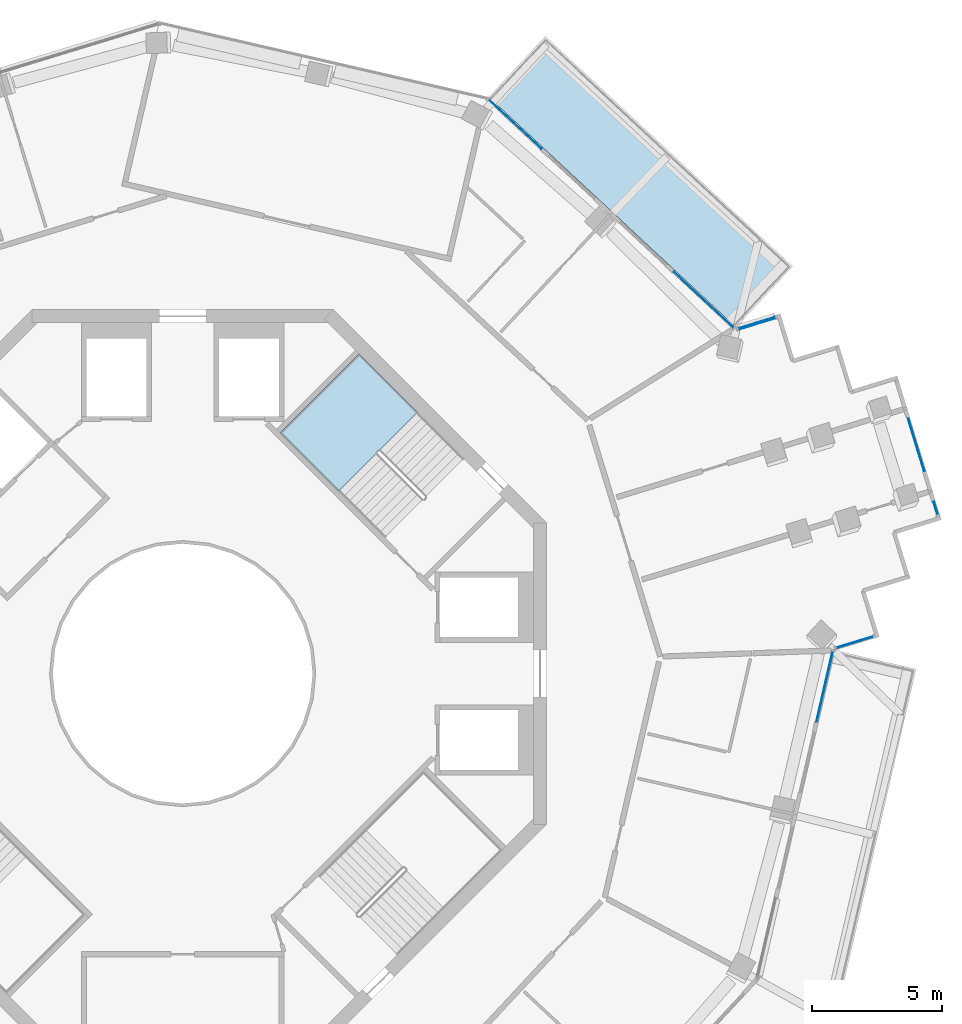
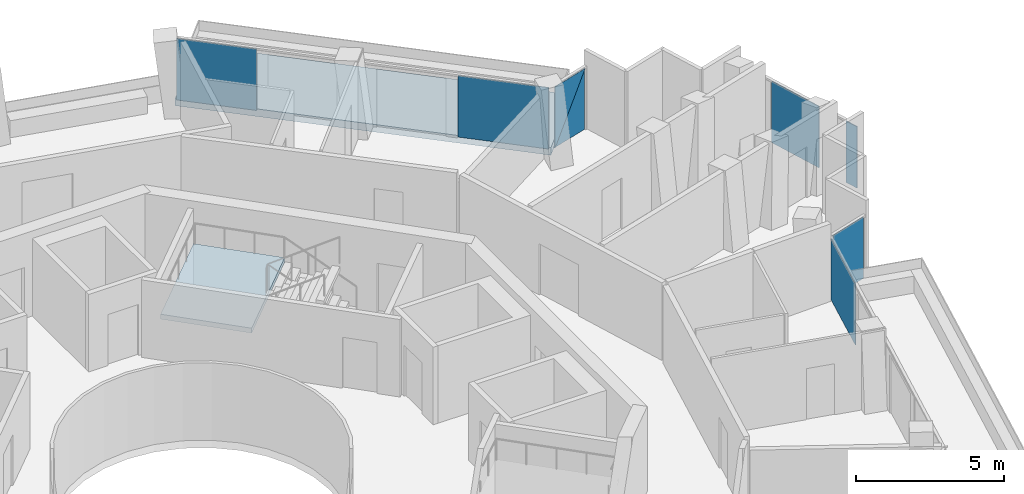
# One storey, part 13 of 21: 8 plates, 2 slabs, 6 elements without a shape of their own.
"""IFC4 building model written with IfcOpenShell, lengths in metres."""

from ifc_helpers import new_model, si_unit, direction, frame, origin, origin_2d, place, context, subcontext, project, spatial, polyline, rectangle, outline, extrude, material, layer, layer_set, type_object, element, aggregate, save


model = new_model("IFC4")

# Units and contexts
model_context = context("Model", 3, precision=1e-05, world=origin(), true_north=direction((0.0, 1.0)))
body_context = subcontext(model_context, "Body", "Model", "MODEL_VIEW")
ifc_project = project(units=[si_unit("LENGTHUNIT", "METRE"), si_unit("AREAUNIT", "SQUARE_METRE"), si_unit("VOLUMEUNIT", "CUBIC_METRE"), si_unit("PLANEANGLEUNIT", "RADIAN"), si_unit("MASSUNIT", "GRAM", prefix="KILO")], contexts=[model_context])

# Site, building, storey
site_placement = place(None, origin())
site = spatial("IfcSite", under=ifc_project, at=site_placement, CompositionType="ELEMENT")
building_placement = place(site_placement, origin())
building = spatial("IfcBuilding", under=site, at=building_placement, Name="Verdalira Terraces Hotel", CompositionType="ELEMENT")
storey_placement = place(building_placement, frame((0.0, 0.0, 227.0)))
storey = spatial("IfcBuildingStorey", under=building, at=storey_placement, Name="L55", CompositionType="ELEMENT", Elevation=227.0)

# Slab
ifc_material_1 = material(Name="Precast concrete C40/50", Category="concrete")
ifc_layer_1 = layer(ifc_material_1, 0.31005859375)
ifc_layer_set_1 = layer_set([ifc_layer_1], Name="Balcony deck 310")
slab_type_1 = type_object("IfcSlabType", Name="Balcony deck 310", PredefinedType="FLOOR", material=ifc_layer_set_1)
slab_1_placement = place(storey_placement, frame((0.0, 0.0, -0.310059)))
element("IfcSlab", 1, at=slab_1_placement, inside=storey, type_object=slab_type_1, Name="Balcony deck", PredefinedType="FLOOR", context=body_context, shape_type="SweptSolid", body=[
    extrude(outline(polyline([(13.955566, 24.524414), (11.774902, 22.182617), (21.288574, 13.323242), (23.469482, 15.665039), (13.955566, 24.524414)])), origin(), (0.0, 0.0, 1.0), 0.310059),
])

# Curtain wall, plate
ifc_material_2 = material(Name="Clear glass", Category="glass")
ifc_layer_2 = layer(ifc_material_2, 0.14990234375)
ifc_layer_set_2 = layer_set([ifc_layer_2], Name="CW1 curtain wall")
curtain_wall_type_1 = type_object("IfcCurtainWallType", Name="CW1 curtain wall", PredefinedType="NOTDEFINED", material=ifc_layer_set_2)
curtain_wall_1_placement = place(storey_placement, origin())
curtain_wall_1 = element("IfcCurtainWall", 2, at=curtain_wall_1_placement, inside=storey, type_object=curtain_wall_type_1, Name="CW1 curtain wall L55 edge 27", PredefinedType="NOTDEFINED")
ifc_material_3 = material(Name="Clear glass", Category="glass")
ifc_layer_3 = layer(ifc_material_3, 0.028076171875)
ifc_layer_set_3 = layer_set([ifc_layer_3], Name="CW1 glass unit 28")
plate_type_1 = type_object("IfcPlateType", Name="CW1 glass unit 28", PredefinedType="CURTAIN_PANEL", material=ifc_layer_set_3)
plate_1_placement = place(storey_placement, frame((24.699951, -0.501709, 0.0), z_axis=(0.0, 0.0, 1.0), x_axis=(0.224270761, 0.974526873, 0.0)))
plate_1 = element("IfcPlate", 3, at=plate_1_placement, type_object=plate_type_1, Name="CW1 glass unit", PredefinedType="CURTAIN_PANEL", context=body_context, shape_type="SweptSolid", body=[
    extrude(rectangle(XDim=2.778809, YDim=0.028076, at=origin_2d()), origin(), (0.0, 0.0, 1.0), 2.524902),
])
aggregate(curtain_wall_1, [plate_1])

# Curtain wall, plates
curtain_wall_2_placement = place(storey_placement, origin())
curtain_wall_2 = element("IfcCurtainWall", 4, at=curtain_wall_2_placement, inside=storey, type_object=curtain_wall_type_1, Name="CW1 curtain wall L55 edge 39", PredefinedType="NOTDEFINED")
plate_2_placement = place(storey_placement, frame((20.044678, 14.37915, 0.0), z_axis=(0.0, 0.0, 1.0), x_axis=(-0.731829648, 0.681487613, 0.0)))
plate_2 = element("IfcPlate", 5, at=plate_2_placement, type_object=plate_type_1, Name="CW1 glass unit", PredefinedType="CURTAIN_PANEL", context=body_context, shape_type="SweptSolid", body=[
    extrude(rectangle(XDim=3.139893, YDim=0.028076, at=origin_2d()), origin(), (0.0, 0.0, 1.0), 2.524902),
])
plate_3_placement = place(storey_placement, frame((12.784424, 21.140137, 0.0), z_axis=(0.0, 0.0, 1.0), x_axis=(-0.731829648, 0.681487613, 0.0)))
plate_3 = element("IfcPlate", 6, at=plate_3_placement, type_object=plate_type_1, Name="CW1 glass unit", PredefinedType="CURTAIN_PANEL", context=body_context, shape_type="SweptSolid", body=[
    extrude(rectangle(XDim=2.778809, YDim=0.028076, at=origin_2d()), origin(), (0.0, 0.0, 1.0), 2.524902),
])
aggregate(curtain_wall_2, [plate_2, plate_3])

# Curtain wall, plate
ifc_material_4 = material(Name="Clear glass", Category="glass")
ifc_layer_4 = layer(ifc_material_4, 0.14990234375)
ifc_layer_set_4 = layer_set([ifc_layer_4], Name="CW2 curtain wall")
curtain_wall_type_2 = type_object("IfcCurtainWallType", Name="CW2 curtain wall", PredefinedType="NOTDEFINED", material=ifc_layer_set_4)
curtain_wall_3_placement = place(storey_placement, origin())
curtain_wall_3 = element("IfcCurtainWall", 7, at=curtain_wall_3_placement, inside=storey, type_object=curtain_wall_type_2, Name="CW2 curtain wall L55 edge 28", PredefinedType="NOTDEFINED")
ifc_material_5 = material(Name="Clear glass", Category="glass")
ifc_layer_5 = layer(ifc_material_5, 0.031982421875)
ifc_layer_set_5 = layer_set([ifc_layer_5], Name="CW2 glass unit 32")
plate_type_2 = type_object("IfcPlateType", Name="CW2 glass unit 32", PredefinedType="CURTAIN_PANEL", material=ifc_layer_set_5)
plate_4_placement = place(storey_placement, frame((25.857178, 1.205078, 0.0), z_axis=(0.0, 0.0, 1.0), x_axis=(0.956100409, 0.29303926, 0.0)))
plate_4 = element("IfcPlate", 8, at=plate_4_placement, type_object=plate_type_2, Name="CW2 glass unit", PredefinedType="CURTAIN_PANEL", context=body_context, shape_type="SweptSolid", body=[
    extrude(rectangle(XDim=1.493408, YDim=0.031982, at=origin_2d()), origin(), (0.0, 0.0, 1.0), 2.524902),
])
aggregate(curtain_wall_3, [plate_4])

# Curtain wall, plates
curtain_wall_4_placement = place(storey_placement, origin())
curtain_wall_4 = element("IfcCurtainWall", 9, at=curtain_wall_4_placement, inside=storey, type_object=curtain_wall_type_2, Name="CW2 curtain wall L55 edge 38", PredefinedType="NOTDEFINED")
plate_5_placement = place(storey_placement, frame((22.096191, 13.475586, 1.262451), z_axis=(-0.29303926, 0.956100409, 0.0), x_axis=(-0.956100409, -0.29303926, 0.0)))
plate_5 = element("IfcPlate", 10, at=plate_5_placement, type_object=plate_type_2, Name="CW2 glass unit", PredefinedType="CURTAIN_PANEL", context=body_context, shape_type="SweptSolid", body=[
    extrude(outline(polyline([(-0.746582, -1.262451), (0.746582, -1.262451), (-0.746582, 1.262451), (-0.746582, -1.262451)])), origin(), (0.0, 0.0, 1.0), 0.031982),
])
plate_6_placement = place(storey_placement, frame((22.105957, 13.444092, 1.262451), z_axis=(-0.29303926, 0.956100409, 0.0), x_axis=(-0.956100409, -0.29303926, 0.0)))
plate_6 = element("IfcPlate", 11, at=plate_6_placement, type_object=plate_type_2, Name="CW2 glass unit", PredefinedType="CURTAIN_PANEL", context=body_context, shape_type="SweptSolid", body=[
    extrude(outline(polyline([(0.746582, -1.262451), (0.746582, 1.262451), (-0.746582, 1.262451), (0.746582, -1.262451)])), origin(), (0.0, 0.0, 1.0), 0.031982),
])
aggregate(curtain_wall_4, [plate_5, plate_6])

ifc_material_6 = material(Name="Clear glass", Category="glass")
ifc_layer_6 = layer(ifc_material_6, 0.14990234375)
ifc_layer_set_6 = layer_set([ifc_layer_6], Name="CW3 curtain wall")
curtain_wall_type_3 = type_object("IfcCurtainWallType", Name="CW3 curtain wall", PredefinedType="NOTDEFINED", material=ifc_layer_set_6)
curtain_wall_5_placement = place(storey_placement, origin())
curtain_wall_5 = element("IfcCurtainWall", 12, at=curtain_wall_5_placement, inside=storey, type_object=curtain_wall_type_3, Name="CW3 curtain wall L55 edge 33", PredefinedType="NOTDEFINED")
ifc_material_7 = material(Name="Clear glass", Category="glass")
ifc_layer_7 = layer(ifc_material_7, 0.035888671875)
ifc_layer_set_7 = layer_set([ifc_layer_7], Name="CW3 glass unit 36")
plate_type_3 = type_object("IfcPlateType", Name="CW3 glass unit 36", PredefinedType="CURTAIN_PANEL", material=ifc_layer_set_7)
plate_7_placement = place(storey_placement, frame((28.976562, 6.355225, 0.0), z_axis=(0.0, 0.0, 1.0), x_axis=(-0.29303926, 0.956100409, 0.0)))
plate_7 = element("IfcPlate", 13, at=plate_7_placement, type_object=plate_type_3, Name="CW3 glass unit", PredefinedType="CURTAIN_PANEL", context=body_context, shape_type="SweptSolid", body=[
    extrude(rectangle(XDim=0.51001, YDim=0.035889, at=origin_2d()), origin(), (0.0, 0.0, 1.0), 2.524902),
])
plate_8_placement = place(storey_placement, frame((28.219482, 8.825439, 0.0), z_axis=(0.0, 0.0, 1.0), x_axis=(-0.29303926, 0.956100409, 0.0)))
plate_8 = element("IfcPlate", 14, at=plate_8_placement, type_object=plate_type_3, Name="CW3 glass unit", PredefinedType="CURTAIN_PANEL", context=body_context, shape_type="SweptSolid", body=[
    extrude(rectangle(XDim=2.170654, YDim=0.035889, at=origin_2d()), origin(), (0.0, 0.0, 1.0), 2.524902),
])
aggregate(curtain_wall_5, [plate_7, plate_8])

# Stair, slab
ifc_material_8 = material(Name="Concrete C40", Category="concrete")
stair_type = type_object("IfcStairType", Name="Core stair 20 risers 2100 mm wide", PredefinedType="HALF_TURN_STAIR", material=ifc_material_8)
stair_placement = place(storey_placement, origin())
stair = element("IfcStair", 15, at=stair_placement, inside=storey, type_object=stair_type, Name="L55 Exit stair ST1", PredefinedType="HALF_TURN_STAIR")
ifc_material_9 = material(Name="Concrete C40", Category="concrete")
ifc_layer_8 = layer(ifc_material_9, 0.199951171875)
ifc_layer_set_8 = layer_set([ifc_layer_8], Name="Core stair landing 200 mm")
slab_type_2 = type_object("IfcSlabType", Name="Core stair landing 200 mm", PredefinedType="LANDING", material=ifc_layer_set_8)
slab_2_placement = place(storey_placement, frame((0.0, 0.0, 1.550049)))
slab_2 = element("IfcSlab", 16, at=slab_2_placement, type_object=slab_type_2, Name="ST1 landing 1", PredefinedType="LANDING", context=body_context, shape_type="SweptSolid", body=[
    extrude(outline(polyline([(9.037109, 10.054688), (6.78833, 12.303711), (3.747559, 9.263184), (5.996582, 7.01416), (9.037109, 10.054688)])), origin(), (0.0, 0.0, 1.0), 0.199951),
])
aggregate(stair, [slab_2])

save(model, "model.ifc")
